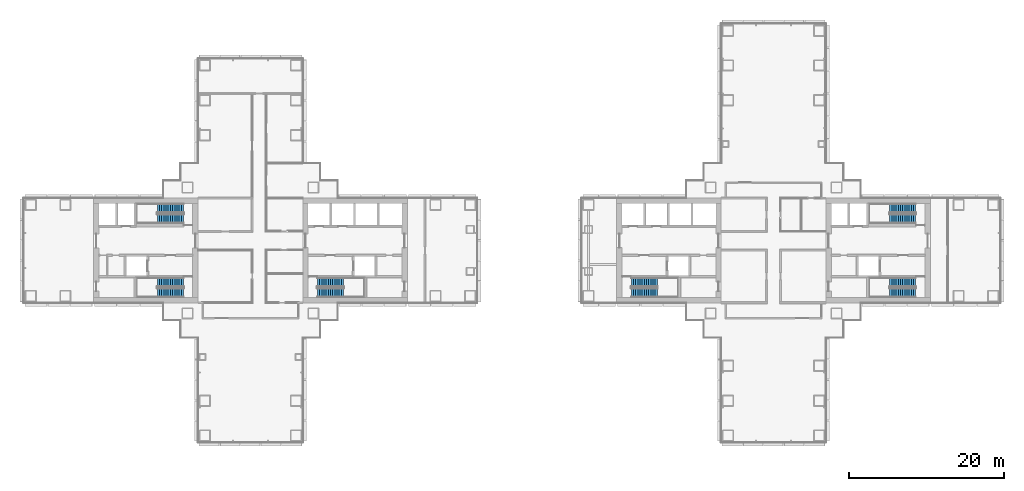
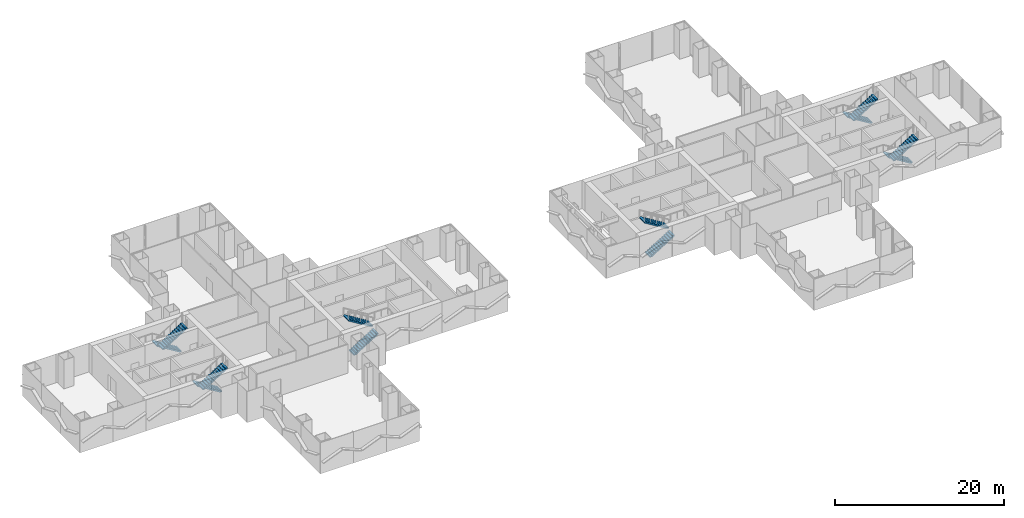
# One storey, part 18 of 22: 12 stair flights, 6 elements without a shape of their own.
"""IFC4 building model written with IfcOpenShell, lengths in metres."""

from ifc_helpers import new_model, si_unit, direction, frame, origin, place, context, subcontext, project, spatial, polyline, outline, extrude, material, type_object, element, aggregate, save


model = new_model("IFC4")

# Units and contexts
model_context = context("Model", 3, precision=1e-05, world=origin(), true_north=direction((0.0, 1.0)))
body_context = subcontext(model_context, "Body", "Model", "MODEL_VIEW")
ifc_project = project(units=[si_unit("LENGTHUNIT", "METRE"), si_unit("AREAUNIT", "SQUARE_METRE"), si_unit("VOLUMEUNIT", "CUBIC_METRE"), si_unit("PLANEANGLEUNIT", "RADIAN"), si_unit("MASSUNIT", "GRAM", prefix="KILO")], contexts=[model_context])

# Site, building, storey
site_placement = place(None, origin())
site = spatial("IfcSite", under=ifc_project, at=site_placement, CompositionType="ELEMENT")
building_placement = place(site_placement, origin())
building = spatial("IfcBuilding", under=site, at=building_placement, Name="Shamsa Quay Exchange Towers", CompositionType="ELEMENT")
storey_placement = place(building_placement, frame((0.0, 0.0, 37.5)))
storey = spatial("IfcBuildingStorey", under=building, at=storey_placement, Name="L07", CompositionType="ELEMENT", Elevation=37.5)

# Stair, stair flights
ifc_material = material(Name="Concrete C40/50", Category="concrete")
stair_type = type_object("IfcStairType", Name="EXIT STAIR 26 RISERS 173 MM", PredefinedType="HALF_TURN_STAIR", material=ifc_material)
stair_1_placement = place(storey_placement, origin())
stair_1 = element("IfcStair", 1, at=stair_1_placement, inside=storey, type_object=stair_type, Name="L07 Exit stair ST1", PredefinedType="HALF_TURN_STAIR")
stair_flight_type = type_object("IfcStairFlightType", Name="EXIT STAIR FLIGHT 13 RISERS 173 MM", PredefinedType="STRAIGHT", material=ifc_material)
stair_flight_1_placement = place(storey_placement, frame((-25.10009765625, -5.449951171875, 0.0)))
stair_flight_1 = element("IfcStairFlight", 2, at=stair_flight_1_placement, type_object=stair_flight_type, Name="ST1 flight 1", NumberOfRisers=13, NumberOfTreads=12, PredefinedType="STRAIGHT", RiserHeight=0.173076923, TreadLength=0.28, context=body_context, shape_type="SweptSolid", body=[
    extrude(outline(polyline([(0.0, 0.0), (0.0, 0.173095703125), (0.280029296875, 0.173095703125), (0.280029296875, 0.34619140625), (0.56005859375, 0.34619140625), (0.56005859375, 0.519287109375), (0.840087890625, 0.519287109375), (0.840087890625, 0.6923828125), (1.1201171875, 0.6923828125), (1.1201171875, 0.865478515625), (1.39990234375, 0.865478515625), (1.39990234375, 1.03857421875), (1.679931640625, 1.03857421875), (1.679931640625, 1.21142578125), (1.9599609375, 1.21142578125), (1.9599609375, 1.384521484375), (2.239990234375, 1.384521484375), (2.239990234375, 1.5576171875), (2.52001953125, 1.5576171875), (2.52001953125, 1.730712890625), (2.800048828125, 1.730712890625), (2.800048828125, 1.90380859375), (3.080078125, 1.90380859375), (3.080078125, 2.076904296875), (3.360107421875, 2.076904296875), (3.360107421875, 2.25), (3.360107421875, 1.912353515625), (0.26611328125, 0.0), (0.0, 0.0)])), frame((0.0, 0.60009765625, 0.0), z_axis=(0.0, -1.0, 0.0), x_axis=(1.0, 0.0, 0.0)), (0.0, 0.0, 1.0), 1.199951171875),
])
stair_flight_2_placement = place(storey_placement, frame((-21.739990234375, -4.10009765625, 2.25), z_axis=(0.0, 0.0, 1.0), x_axis=(-1.0, 0.0, 0.0)))
stair_flight_2 = element("IfcStairFlight", 3, at=stair_flight_2_placement, type_object=stair_flight_type, Name="ST1 flight 2", NumberOfRisers=13, NumberOfTreads=12, PredefinedType="STRAIGHT", RiserHeight=0.173076923, TreadLength=0.28, context=body_context, shape_type="SweptSolid", body=[
    extrude(outline(polyline([(0.0, 0.0), (0.0, 0.173095703125), (0.280029296875, 0.173095703125), (0.280029296875, 0.34619140625), (0.56005859375, 0.34619140625), (0.56005859375, 0.519287109375), (0.840087890625, 0.519287109375), (0.840087890625, 0.6923828125), (1.1201171875, 0.6923828125), (1.1201171875, 0.865478515625), (1.39990234375, 0.865478515625), (1.39990234375, 1.03857421875), (1.679931640625, 1.03857421875), (1.679931640625, 1.21142578125), (1.9599609375, 1.21142578125), (1.9599609375, 1.384521484375), (2.239990234375, 1.384521484375), (2.239990234375, 1.5576171875), (2.52001953125, 1.5576171875), (2.52001953125, 1.730712890625), (2.800048828125, 1.730712890625), (2.800048828125, 1.90380859375), (3.080078125, 1.90380859375), (3.080078125, 2.076904296875), (3.360107421875, 2.076904296875), (3.360107421875, 2.25), (3.360107421875, 1.912353515625), (0.26611328125, 0.0), (0.0, 0.0)])), frame((0.0, 0.60009765625, 0.0), z_axis=(0.0, -1.0, 0.0), x_axis=(1.0, 0.0, 0.0)), (0.0, 0.0, 1.0), 1.199951171875),
])
aggregate(stair_1, [stair_flight_1, stair_flight_2])

stair_2_placement = place(storey_placement, origin())
stair_2 = element("IfcStair", 4, at=stair_2_placement, inside=storey, type_object=stair_type, Name="L07 Exit stair ST2", PredefinedType="HALF_TURN_STAIR")
stair_flight_3_placement = place(storey_placement, frame((-42.39990234375, -4.10009765625, 0.0), z_axis=(0.0, 0.0, 1.0), x_axis=(-1.0, 0.0, 0.0)))
stair_flight_3 = element("IfcStairFlight", 5, at=stair_flight_3_placement, type_object=stair_flight_type, Name="ST2 flight 1", NumberOfRisers=13, NumberOfTreads=12, PredefinedType="STRAIGHT", RiserHeight=0.173076923, TreadLength=0.28, context=body_context, shape_type="SweptSolid", body=[
    extrude(outline(polyline([(0.0, 0.0), (0.0, 0.173095703125), (0.280029296875, 0.173095703125), (0.280029296875, 0.34619140625), (0.56005859375, 0.34619140625), (0.56005859375, 0.519287109375), (0.840087890625, 0.519287109375), (0.840087890625, 0.6923828125), (1.1201171875, 0.6923828125), (1.1201171875, 0.865478515625), (1.39990234375, 0.865478515625), (1.39990234375, 1.03857421875), (1.679931640625, 1.03857421875), (1.679931640625, 1.21142578125), (1.9599609375, 1.21142578125), (1.9599609375, 1.384521484375), (2.239990234375, 1.384521484375), (2.239990234375, 1.5576171875), (2.52001953125, 1.5576171875), (2.52001953125, 1.730712890625), (2.800048828125, 1.730712890625), (2.800048828125, 1.90380859375), (3.080078125, 1.90380859375), (3.080078125, 2.076904296875), (3.360107421875, 2.076904296875), (3.360107421875, 2.25), (3.360107421875, 1.912353515625), (0.26611328125, 0.0), (0.0, 0.0)])), frame((0.0, 0.60009765625, 0.0), z_axis=(0.0, -1.0, 0.0), x_axis=(1.0, 0.0, 0.0)), (0.0, 0.0, 1.0), 1.199951171875),
])
stair_flight_4_placement = place(storey_placement, frame((-45.760009765625, -5.449951171875, 2.25)))
stair_flight_4 = element("IfcStairFlight", 6, at=stair_flight_4_placement, type_object=stair_flight_type, Name="ST2 flight 2", NumberOfRisers=13, NumberOfTreads=12, PredefinedType="STRAIGHT", RiserHeight=0.173076923, TreadLength=0.28, context=body_context, shape_type="SweptSolid", body=[
    extrude(outline(polyline([(0.0, 0.0), (0.0, 0.173095703125), (0.280029296875, 0.173095703125), (0.280029296875, 0.34619140625), (0.56005859375, 0.34619140625), (0.56005859375, 0.519287109375), (0.840087890625, 0.519287109375), (0.840087890625, 0.6923828125), (1.1201171875, 0.6923828125), (1.1201171875, 0.865478515625), (1.39990234375, 0.865478515625), (1.39990234375, 1.03857421875), (1.679931640625, 1.03857421875), (1.679931640625, 1.21142578125), (1.9599609375, 1.21142578125), (1.9599609375, 1.384521484375), (2.239990234375, 1.384521484375), (2.239990234375, 1.5576171875), (2.52001953125, 1.5576171875), (2.52001953125, 1.730712890625), (2.800048828125, 1.730712890625), (2.800048828125, 1.90380859375), (3.080078125, 1.90380859375), (3.080078125, 2.076904296875), (3.360107421875, 2.076904296875), (3.360107421875, 2.25), (3.360107421875, 1.912353515625), (0.26611328125, 0.0), (0.0, 0.0)])), frame((0.0, 0.60009765625, 0.0), z_axis=(0.0, -1.0, 0.0), x_axis=(1.0, 0.0, 0.0)), (0.0, 0.0, 1.0), 1.199951171875),
])
aggregate(stair_2, [stair_flight_3, stair_flight_4])

stair_3_placement = place(storey_placement, origin())
stair_3 = element("IfcStair", 7, at=stair_3_placement, inside=storey, type_object=stair_type, Name="L07 Exit stair ST3", PredefinedType="HALF_TURN_STAIR")
stair_flight_5_placement = place(storey_placement, frame((-42.39990234375, 5.449951171875, 0.0), z_axis=(0.0, 0.0, 1.0), x_axis=(-1.0, 0.0, 0.0)))
stair_flight_5 = element("IfcStairFlight", 8, at=stair_flight_5_placement, type_object=stair_flight_type, Name="ST3 flight 1", NumberOfRisers=13, NumberOfTreads=12, PredefinedType="STRAIGHT", RiserHeight=0.173076923, TreadLength=0.28, context=body_context, shape_type="SweptSolid", body=[
    extrude(outline(polyline([(0.0, 0.0), (0.0, 0.173095703125), (0.280029296875, 0.173095703125), (0.280029296875, 0.34619140625), (0.56005859375, 0.34619140625), (0.56005859375, 0.519287109375), (0.840087890625, 0.519287109375), (0.840087890625, 0.6923828125), (1.1201171875, 0.6923828125), (1.1201171875, 0.865478515625), (1.39990234375, 0.865478515625), (1.39990234375, 1.03857421875), (1.679931640625, 1.03857421875), (1.679931640625, 1.21142578125), (1.9599609375, 1.21142578125), (1.9599609375, 1.384521484375), (2.239990234375, 1.384521484375), (2.239990234375, 1.5576171875), (2.52001953125, 1.5576171875), (2.52001953125, 1.730712890625), (2.800048828125, 1.730712890625), (2.800048828125, 1.90380859375), (3.080078125, 1.90380859375), (3.080078125, 2.076904296875), (3.360107421875, 2.076904296875), (3.360107421875, 2.25), (3.360107421875, 1.912353515625), (0.26611328125, 0.0), (0.0, 0.0)])), frame((0.0, 0.60009765625, 0.0), z_axis=(0.0, -1.0, 0.0), x_axis=(1.0, 0.0, 0.0)), (0.0, 0.0, 1.0), 1.199951171875),
])
stair_flight_6_placement = place(storey_placement, frame((-45.760009765625, 4.10009765625, 2.25)))
stair_flight_6 = element("IfcStairFlight", 9, at=stair_flight_6_placement, type_object=stair_flight_type, Name="ST3 flight 2", NumberOfRisers=13, NumberOfTreads=12, PredefinedType="STRAIGHT", RiserHeight=0.173076923, TreadLength=0.28, context=body_context, shape_type="SweptSolid", body=[
    extrude(outline(polyline([(0.0, 0.0), (0.0, 0.173095703125), (0.280029296875, 0.173095703125), (0.280029296875, 0.34619140625), (0.56005859375, 0.34619140625), (0.56005859375, 0.519287109375), (0.840087890625, 0.519287109375), (0.840087890625, 0.6923828125), (1.1201171875, 0.6923828125), (1.1201171875, 0.865478515625), (1.39990234375, 0.865478515625), (1.39990234375, 1.03857421875), (1.679931640625, 1.03857421875), (1.679931640625, 1.21142578125), (1.9599609375, 1.21142578125), (1.9599609375, 1.384521484375), (2.239990234375, 1.384521484375), (2.239990234375, 1.5576171875), (2.52001953125, 1.5576171875), (2.52001953125, 1.730712890625), (2.800048828125, 1.730712890625), (2.800048828125, 1.90380859375), (3.080078125, 1.90380859375), (3.080078125, 2.076904296875), (3.360107421875, 2.076904296875), (3.360107421875, 2.25), (3.360107421875, 1.912353515625), (0.26611328125, 0.0), (0.0, 0.0)])), frame((0.0, 0.60009765625, 0.0), z_axis=(0.0, -1.0, 0.0), x_axis=(1.0, 0.0, 0.0)), (0.0, 0.0, 1.0), 1.199951171875),
])
aggregate(stair_3, [stair_flight_5, stair_flight_6])

stair_4_placement = place(storey_placement, origin())
stair_4 = element("IfcStair", 10, at=stair_4_placement, inside=storey, type_object=stair_type, Name="L07 Exit stair ST4", PredefinedType="HALF_TURN_STAIR")
stair_flight_7_placement = place(storey_placement, frame((15.39990234375, -5.449951171875, 0.0)))
stair_flight_7 = element("IfcStairFlight", 11, at=stair_flight_7_placement, type_object=stair_flight_type, Name="ST4 flight 1", NumberOfRisers=13, NumberOfTreads=12, PredefinedType="STRAIGHT", RiserHeight=0.173076923, TreadLength=0.28, context=body_context, shape_type="SweptSolid", body=[
    extrude(outline(polyline([(0.0, 0.0), (0.0, 0.173095703125), (0.280029296875, 0.173095703125), (0.280029296875, 0.34619140625), (0.56005859375, 0.34619140625), (0.56005859375, 0.519287109375), (0.840087890625, 0.519287109375), (0.840087890625, 0.6923828125), (1.1201171875, 0.6923828125), (1.1201171875, 0.865478515625), (1.39990234375, 0.865478515625), (1.39990234375, 1.03857421875), (1.679931640625, 1.03857421875), (1.679931640625, 1.21142578125), (1.9599609375, 1.21142578125), (1.9599609375, 1.384521484375), (2.239990234375, 1.384521484375), (2.239990234375, 1.5576171875), (2.52001953125, 1.5576171875), (2.52001953125, 1.730712890625), (2.800048828125, 1.730712890625), (2.800048828125, 1.90380859375), (3.080078125, 1.90380859375), (3.080078125, 2.076904296875), (3.360107421875, 2.076904296875), (3.360107421875, 2.25), (3.360107421875, 1.912353515625), (0.26611328125, 0.0), (0.0, 0.0)])), frame((0.0, 0.60009765625, 0.0), z_axis=(0.0, -1.0, 0.0), x_axis=(1.0, 0.0, 0.0)), (0.0, 0.0, 1.0), 1.199951171875),
])
stair_flight_8_placement = place(storey_placement, frame((18.760009765625, -4.10009765625, 2.25), z_axis=(0.0, 0.0, 1.0), x_axis=(-1.0, 0.0, 0.0)))
stair_flight_8 = element("IfcStairFlight", 12, at=stair_flight_8_placement, type_object=stair_flight_type, Name="ST4 flight 2", NumberOfRisers=13, NumberOfTreads=12, PredefinedType="STRAIGHT", RiserHeight=0.173076923, TreadLength=0.28, context=body_context, shape_type="SweptSolid", body=[
    extrude(outline(polyline([(0.0, 0.0), (0.0, 0.173095703125), (0.280029296875, 0.173095703125), (0.280029296875, 0.34619140625), (0.56005859375, 0.34619140625), (0.56005859375, 0.519287109375), (0.840087890625, 0.519287109375), (0.840087890625, 0.6923828125), (1.1201171875, 0.6923828125), (1.1201171875, 0.865478515625), (1.39990234375, 0.865478515625), (1.39990234375, 1.03857421875), (1.679931640625, 1.03857421875), (1.679931640625, 1.21142578125), (1.9599609375, 1.21142578125), (1.9599609375, 1.384521484375), (2.239990234375, 1.384521484375), (2.239990234375, 1.5576171875), (2.52001953125, 1.5576171875), (2.52001953125, 1.730712890625), (2.800048828125, 1.730712890625), (2.800048828125, 1.90380859375), (3.080078125, 1.90380859375), (3.080078125, 2.076904296875), (3.360107421875, 2.076904296875), (3.360107421875, 2.25), (3.360107421875, 1.912353515625), (0.26611328125, 0.0), (0.0, 0.0)])), frame((0.0, 0.60009765625, 0.0), z_axis=(0.0, -1.0, 0.0), x_axis=(1.0, 0.0, 0.0)), (0.0, 0.0, 1.0), 1.199951171875),
])
aggregate(stair_4, [stair_flight_7, stair_flight_8])

stair_5_placement = place(storey_placement, origin())
stair_5 = element("IfcStair", 13, at=stair_5_placement, inside=storey, type_object=stair_type, Name="L07 Exit stair ST5", PredefinedType="HALF_TURN_STAIR")
stair_flight_9_placement = place(storey_placement, frame((52.10009765625, -4.10009765625, 0.0), z_axis=(0.0, 0.0, 1.0), x_axis=(-1.0, 0.0, 0.0)))
stair_flight_9 = element("IfcStairFlight", 14, at=stair_flight_9_placement, type_object=stair_flight_type, Name="ST5 flight 1", NumberOfRisers=13, NumberOfTreads=12, PredefinedType="STRAIGHT", RiserHeight=0.173076923, TreadLength=0.28, context=body_context, shape_type="SweptSolid", body=[
    extrude(outline(polyline([(0.0, 0.0), (0.0, 0.173095703125), (0.280029296875, 0.173095703125), (0.280029296875, 0.34619140625), (0.56005859375, 0.34619140625), (0.56005859375, 0.519287109375), (0.840087890625, 0.519287109375), (0.840087890625, 0.6923828125), (1.1201171875, 0.6923828125), (1.1201171875, 0.865478515625), (1.39990234375, 0.865478515625), (1.39990234375, 1.03857421875), (1.679931640625, 1.03857421875), (1.679931640625, 1.21142578125), (1.9599609375, 1.21142578125), (1.9599609375, 1.384521484375), (2.239990234375, 1.384521484375), (2.239990234375, 1.5576171875), (2.52001953125, 1.5576171875), (2.52001953125, 1.730712890625), (2.800048828125, 1.730712890625), (2.800048828125, 1.90380859375), (3.080078125, 1.90380859375), (3.080078125, 2.076904296875), (3.360107421875, 2.076904296875), (3.360107421875, 2.25), (3.360107421875, 1.912353515625), (0.26611328125, 0.0), (0.0, 0.0)])), frame((0.0, 0.60009765625, 0.0), z_axis=(0.0, -1.0, 0.0), x_axis=(1.0, 0.0, 0.0)), (0.0, 0.0, 1.0), 1.199951171875),
])
stair_flight_10_placement = place(storey_placement, frame((48.739990234375, -5.449951171875, 2.25)))
stair_flight_10 = element("IfcStairFlight", 15, at=stair_flight_10_placement, type_object=stair_flight_type, Name="ST5 flight 2", NumberOfRisers=13, NumberOfTreads=12, PredefinedType="STRAIGHT", RiserHeight=0.173076923, TreadLength=0.28, context=body_context, shape_type="SweptSolid", body=[
    extrude(outline(polyline([(0.0, 0.0), (0.0, 0.173095703125), (0.280029296875, 0.173095703125), (0.280029296875, 0.34619140625), (0.56005859375, 0.34619140625), (0.56005859375, 0.519287109375), (0.840087890625, 0.519287109375), (0.840087890625, 0.6923828125), (1.1201171875, 0.6923828125), (1.1201171875, 0.865478515625), (1.39990234375, 0.865478515625), (1.39990234375, 1.03857421875), (1.679931640625, 1.03857421875), (1.679931640625, 1.21142578125), (1.9599609375, 1.21142578125), (1.9599609375, 1.384521484375), (2.239990234375, 1.384521484375), (2.239990234375, 1.5576171875), (2.52001953125, 1.5576171875), (2.52001953125, 1.730712890625), (2.800048828125, 1.730712890625), (2.800048828125, 1.90380859375), (3.080078125, 1.90380859375), (3.080078125, 2.076904296875), (3.360107421875, 2.076904296875), (3.360107421875, 2.25), (3.360107421875, 1.912353515625), (0.26611328125, 0.0), (0.0, 0.0)])), frame((0.0, 0.60009765625, 0.0), z_axis=(0.0, -1.0, 0.0), x_axis=(1.0, 0.0, 0.0)), (0.0, 0.0, 1.0), 1.199951171875),
])
aggregate(stair_5, [stair_flight_9, stair_flight_10])

stair_6_placement = place(storey_placement, origin())
stair_6 = element("IfcStair", 16, at=stair_6_placement, inside=storey, type_object=stair_type, Name="L07 Exit stair ST6", PredefinedType="HALF_TURN_STAIR")
stair_flight_11_placement = place(storey_placement, frame((52.10009765625, 5.449951171875, 0.0), z_axis=(0.0, 0.0, 1.0), x_axis=(-1.0, 0.0, 0.0)))
stair_flight_11 = element("IfcStairFlight", 17, at=stair_flight_11_placement, type_object=stair_flight_type, Name="ST6 flight 1", NumberOfRisers=13, NumberOfTreads=12, PredefinedType="STRAIGHT", RiserHeight=0.173076923, TreadLength=0.28, context=body_context, shape_type="SweptSolid", body=[
    extrude(outline(polyline([(0.0, 0.0), (0.0, 0.173095703125), (0.280029296875, 0.173095703125), (0.280029296875, 0.34619140625), (0.56005859375, 0.34619140625), (0.56005859375, 0.519287109375), (0.840087890625, 0.519287109375), (0.840087890625, 0.6923828125), (1.1201171875, 0.6923828125), (1.1201171875, 0.865478515625), (1.39990234375, 0.865478515625), (1.39990234375, 1.03857421875), (1.679931640625, 1.03857421875), (1.679931640625, 1.21142578125), (1.9599609375, 1.21142578125), (1.9599609375, 1.384521484375), (2.239990234375, 1.384521484375), (2.239990234375, 1.5576171875), (2.52001953125, 1.5576171875), (2.52001953125, 1.730712890625), (2.800048828125, 1.730712890625), (2.800048828125, 1.90380859375), (3.080078125, 1.90380859375), (3.080078125, 2.076904296875), (3.360107421875, 2.076904296875), (3.360107421875, 2.25), (3.360107421875, 1.912353515625), (0.26611328125, 0.0), (0.0, 0.0)])), frame((0.0, 0.60009765625, 0.0), z_axis=(0.0, -1.0, 0.0), x_axis=(1.0, 0.0, 0.0)), (0.0, 0.0, 1.0), 1.199951171875),
])
stair_flight_12_placement = place(storey_placement, frame((48.739990234375, 4.10009765625, 2.25)))
stair_flight_12 = element("IfcStairFlight", 18, at=stair_flight_12_placement, type_object=stair_flight_type, Name="ST6 flight 2", NumberOfRisers=13, NumberOfTreads=12, PredefinedType="STRAIGHT", RiserHeight=0.173076923, TreadLength=0.28, context=body_context, shape_type="SweptSolid", body=[
    extrude(outline(polyline([(0.0, 0.0), (0.0, 0.173095703125), (0.280029296875, 0.173095703125), (0.280029296875, 0.34619140625), (0.56005859375, 0.34619140625), (0.56005859375, 0.519287109375), (0.840087890625, 0.519287109375), (0.840087890625, 0.6923828125), (1.1201171875, 0.6923828125), (1.1201171875, 0.865478515625), (1.39990234375, 0.865478515625), (1.39990234375, 1.03857421875), (1.679931640625, 1.03857421875), (1.679931640625, 1.21142578125), (1.9599609375, 1.21142578125), (1.9599609375, 1.384521484375), (2.239990234375, 1.384521484375), (2.239990234375, 1.5576171875), (2.52001953125, 1.5576171875), (2.52001953125, 1.730712890625), (2.800048828125, 1.730712890625), (2.800048828125, 1.90380859375), (3.080078125, 1.90380859375), (3.080078125, 2.076904296875), (3.360107421875, 2.076904296875), (3.360107421875, 2.25), (3.360107421875, 1.912353515625), (0.26611328125, 0.0), (0.0, 0.0)])), frame((0.0, 0.60009765625, 0.0), z_axis=(0.0, -1.0, 0.0), x_axis=(1.0, 0.0, 0.0)), (0.0, 0.0, 1.0), 1.199951171875),
])
aggregate(stair_6, [stair_flight_11, stair_flight_12])

save(model, "model.ifc")
